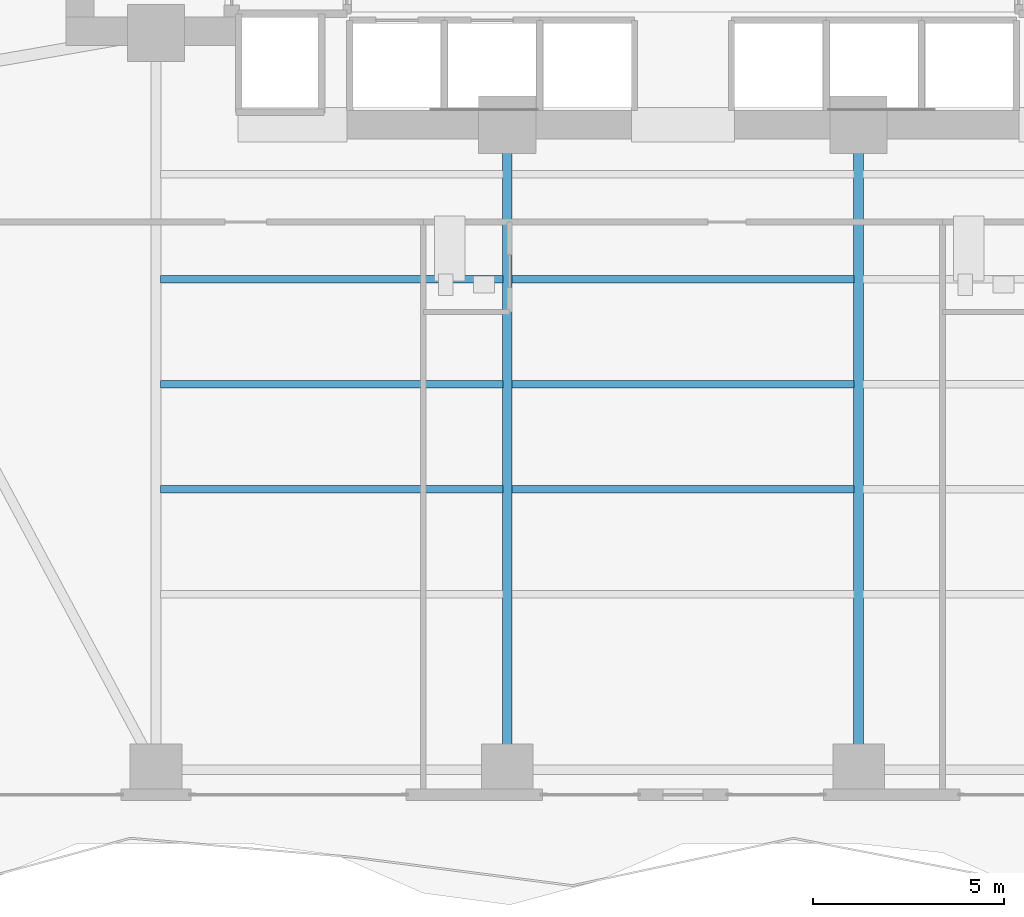
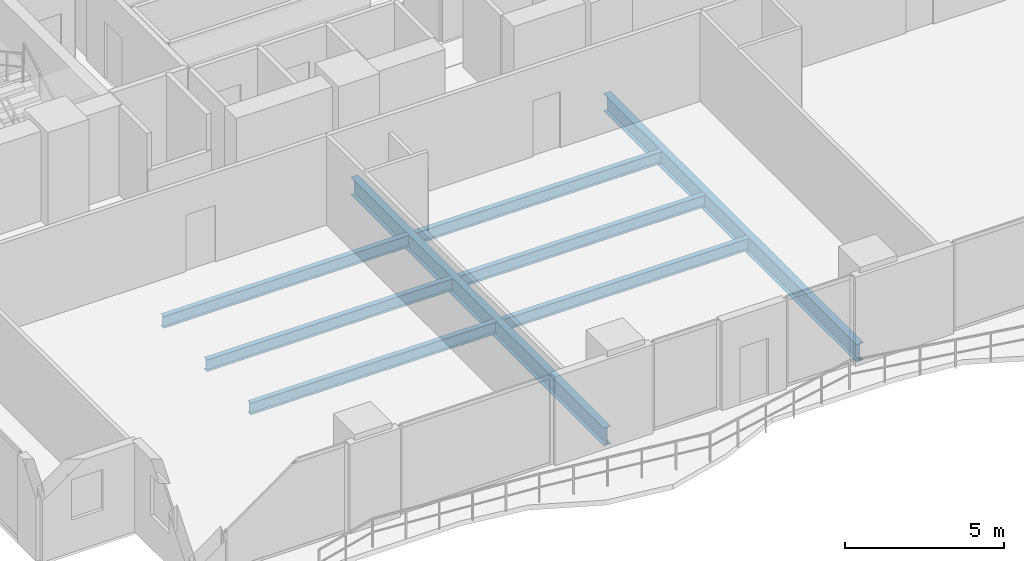
# One storey, part 6 of 29: 8 beams.
"""IFC4 building model written with IfcOpenShell, lengths in metres."""

import ifcopenshell
import ifcopenshell.guid

model = None  # the IFC model being written
_history = None  # IfcOwnerHistory: only IFC2X3 demands one
_inside = {}  # id of a spatial element -> (the spatial element, [elements in it])
_under = {}  # id of a project, library or spatial element -> (it, [spatial elements below it])
_declared = {}  # id of a project -> (the project, [libraries it declares])
_typed = {}  # id of a type object -> (the type object, [elements of that type])
_made_of = {}  # id of a material, layer set ... -> (it, [elements and type objects made of it])


def new_model(schema):
    """Start an empty IFC model of exactly this schema.

    Asked for "IFC4X3", IfcOpenShell would pick the latest addendum, in which some entities
    have other attributes; the version numbers below select the first issue.
    IFC2X3 requires an IfcOwnerHistory on every rooted entity: one is made here for all.
    """
    global model, _history
    if schema == "IFC4X3":
        model = ifcopenshell.file(schema_version=(4, 3, 0, 0))
    else:
        model = ifcopenshell.file(schema=schema)
    _inside.clear()
    _under.clear()
    _declared.clear()
    _typed.clear()
    _made_of.clear()
    _history = None
    if model.schema == "IFC2X3":
        org = make("IfcOrganization", Name="unknown")
        user = make(
            "IfcPersonAndOrganization",
            ThePerson=make("IfcPerson", FamilyName="unknown"),
            TheOrganization=org,
        )
        app = make(
            "IfcApplication",
            ApplicationDeveloper=org,
            Version="unknown",
            ApplicationFullName="unknown",
            ApplicationIdentifier="unknown",
        )
        _history = make(
            "IfcOwnerHistory",
            OwningUser=user,
            OwningApplication=app,
            ChangeAction="ADDED",
            CreationDate=0,
        )
    return model


def make(cls, **values):
    """One entity of the class cls with the attributes given. An attribute that is None is left unset."""
    return model.create_entity(
        cls, **{name: value for name, value in values.items() if value is not None}
    )


def rooted(cls, **values):
    """An entity with a GlobalId (a new one), such as an element, a storey or a relation."""
    return make(cls, GlobalId=ifcopenshell.guid.new(), OwnerHistory=_history, **values)


def si_unit(unit_type, name, prefix=None):
    """IfcSIUnit, for example si_unit("LENGTHUNIT", "METRE", prefix="MILLI")."""
    return make("IfcSIUnit", UnitType=unit_type, Prefix=prefix, Name=name)


def assignment(units):
    """IfcUnitAssignment: the units of a project."""
    return None if units is None else make("IfcUnitAssignment", Units=units)


def point(xyz):
    """IfcCartesianPoint."""
    return None if xyz is None else make("IfcCartesianPoint", Coordinates=xyz)


def direction(xyz):
    """IfcDirection."""
    return None if xyz is None else make("IfcDirection", DirectionRatios=xyz)


def frame(location, z_axis=None, x_axis=None):
    """IfcAxis2Placement3D, a coordinate frame: its origin and axes. An axis left out is left unset."""
    return make(
        "IfcAxis2Placement3D",
        Location=point(location),
        Axis=direction(z_axis),
        RefDirection=direction(x_axis),
    )


def frame_2d(location, x_axis=None):
    """IfcAxis2Placement2D, a coordinate frame in the plane: its origin and x axis."""
    return make(
        "IfcAxis2Placement2D", Location=point(location), RefDirection=direction(x_axis)
    )


def origin():
    """The frame at (0, 0, 0) with its axes left unset."""
    return frame((0.0, 0.0, 0.0))


def origin_2d():
    """The frame at (0, 0) in the plane with its x axis left unset."""
    return frame_2d((0.0, 0.0))


def place(relative_to, where):
    """IfcLocalPlacement: puts the frame where relative to a parent placement (None: the world)."""
    return make(
        "IfcLocalPlacement", PlacementRelTo=relative_to, RelativePlacement=where
    )


def context(
    kind, dimensions, precision=None, world=None, true_north=None, identifier=None
):
    """IfcGeometricRepresentationContext, for example the 3D "Model" context."""
    return make(
        "IfcGeometricRepresentationContext",
        ContextIdentifier=identifier,
        ContextType=kind,
        CoordinateSpaceDimension=dimensions,
        Precision=precision,
        WorldCoordinateSystem=world,
        TrueNorth=true_north,
    )


def subcontext(parent, identifier, kind, view, scale=None):
    """IfcGeometricRepresentationSubContext, for example "Body" below "Model"."""
    return make(
        "IfcGeometricRepresentationSubContext",
        ContextIdentifier=identifier,
        ContextType=kind,
        ParentContext=parent,
        TargetScale=scale,
        TargetView=view,
    )


def project(units=None, contexts=None):
    """IfcProject with its units and contexts."""
    return rooted(
        "IfcProject",
        Name="project",
        RepresentationContexts=contexts,
        UnitsInContext=assignment(units),
    )


def spatial(cls, under=None, at=None, **own):
    """A site, building, storey or space (cls), placed at a placement, below another one or the project."""
    s = rooted(cls, ObjectPlacement=at, **own)
    if under is not None:
        _under.setdefault(under.id(), (under, []))[1].append(s)
    return s


def profile(cls, at=None, kind="AREA", **sizes):
    """A parametric profile (cls). Its sizes go by their IFC names, for example OverallWidth=200.0."""
    return make(cls, ProfileType=kind, Position=at, **sizes)


def i_section(**sizes):
    """IfcIShapeProfileDef."""
    return profile("IfcIShapeProfileDef", **sizes)


def extrude(swept, where, along, depth):
    """IfcExtrudedAreaSolid: the profile swept, set in the frame where, extruded along a direction by depth."""
    return make(
        "IfcExtrudedAreaSolid",
        SweptArea=swept,
        Position=where,
        ExtrudedDirection=direction(along),
        Depth=depth,
    )


def shape(context_of_items, identifier, shape_type, items):
    """IfcShapeRepresentation: the items that make up one representation, for example the "Body"."""
    return make(
        "IfcShapeRepresentation",
        ContextOfItems=context_of_items,
        RepresentationIdentifier=identifier,
        RepresentationType=shape_type,
        Items=items,
    )


def material(Name=None, Category=None):
    """IfcMaterial."""
    return make("IfcMaterial", Name=Name, Category=Category)


def material_profile(
    of_material, cross_section, Name=None, Category=None, Priority=None
):
    """IfcMaterialProfile: a cross section and its material."""
    return make(
        "IfcMaterialProfile",
        Name=Name,
        Material=of_material,
        Profile=cross_section,
        Priority=Priority,
        Category=Category,
    )


def profile_set(profiles, Name=None, composite=None):
    """IfcMaterialProfileSet."""
    return make(
        "IfcMaterialProfileSet",
        Name=Name,
        MaterialProfiles=profiles,
        CompositeProfile=composite,
    )


def made_of(thing, what):
    """Note that an element or type object is made of a material, layer set ...; save() writes the relation."""
    if what is not None:
        _made_of.setdefault(what.id(), (what, []))[1].append(thing)
    return thing


def type_object(cls, material=None, **own):
    """A type object (cls), such as IfcWallType, which elements share."""
    return made_of(rooted(cls, **own), material)


def element(
    cls,
    number,
    at=None,
    inside=None,
    cuts=None,
    type_object=None,
    material=None,
    context=None,
    identifier="Body",
    shape_type=None,
    held_by="IfcProductDefinitionShape",
    body=None,
    shapes=None,
    **own,
):
    """One element of the class cls, such as IfcWall. Its Tag is "e" and its number.

    at: its placement. inside: the storey or other place that contains it. cuts: it is an
    opening in that element (IfcRelVoidsElement). A single representation is given by context,
    identifier, shape_type and body (its items); several are given by shapes. held_by: the class
    of the entity that holds the representations. save() writes the other relations.
    """
    e = rooted(cls, Tag="e%d" % number, ObjectPlacement=at, **own)
    if body is not None:
        shapes = [shape(context, identifier, shape_type, body)]
    if shapes is not None:
        e.Representation = make(held_by, Representations=shapes)
    if inside is not None:
        _inside.setdefault(inside.id(), (inside, []))[1].append(e)
    if cuts is not None:
        rooted(
            "IfcRelVoidsElement", RelatingBuildingElement=cuts, RelatedOpeningElement=e
        )
    if type_object is not None:
        _typed.setdefault(type_object.id(), (type_object, []))[1].append(e)
    return made_of(e, material)


def aggregate(whole, parts):
    """IfcRelAggregates: a whole, such as a stair, and the parts it consists of."""
    return rooted("IfcRelAggregates", RelatingObject=whole, RelatedObjects=parts)


def save(model, path):
    """Write the relations noted so far, then the file.

    IfcRelAggregates (storeys below a building ...), IfcRelContainedInSpatialStructure (elements
    in a storey), IfcRelDefinesByType, IfcRelAssociatesMaterial and IfcRelDeclares: one each for
    every whole, place, type object, material and project.
    """
    for whole, parts in _under.values():
        aggregate(whole, parts)
    for where, things in _inside.values():
        rooted(
            "IfcRelContainedInSpatialStructure",
            RelatedElements=things,
            RelatingStructure=where,
        )
    for kind, things in _typed.values():
        rooted("IfcRelDefinesByType", RelatedObjects=things, RelatingType=kind)
    for what, things in _made_of.values():
        rooted("IfcRelAssociatesMaterial", RelatedObjects=things, RelatingMaterial=what)
    for by, libraries in _declared.values():
        rooted("IfcRelDeclares", RelatingContext=by, RelatedDefinitions=libraries)
    model.write(path)


model = new_model("IFC4")

# Units and contexts
model_context = context("Model", 3, precision=1e-05, world=origin(), true_north=direction((0.0, 1.0)))
body_context = subcontext(model_context, "Body", "Model", "MODEL_VIEW")
ifc_project = project(units=[si_unit("LENGTHUNIT", "METRE"), si_unit("AREAUNIT", "SQUARE_METRE"), si_unit("VOLUMEUNIT", "CUBIC_METRE"), si_unit("PLANEANGLEUNIT", "RADIAN"), si_unit("MASSUNIT", "GRAM", prefix="KILO")], contexts=[model_context])

# Site, building, storey
site_placement = place(None, origin())
site = spatial("IfcSite", under=ifc_project, at=site_placement, CompositionType="ELEMENT")
building_placement = place(site_placement, origin())
building = spatial("IfcBuilding", under=site, at=building_placement, Name="Zuhayl Quay Hotel", CompositionType="ELEMENT")
storey_placement = place(building_placement, frame((0.0, 0.0, 106.60009765625)))
storey = spatial("IfcBuildingStorey", under=building, at=storey_placement, Name="L26", CompositionType="ELEMENT", Elevation=106.60009765625)

# Beams
ifc_material = material(Name="Steel ASTM A992 Grade 50", Category="steel")
ifc_material_profile_1 = material_profile(ifc_material, i_section(OverallWidth=0.25390625, OverallDepth=0.68310546875, WebThickness=0.012451171875, FlangeThickness=0.018798828125, at=origin_2d()), Name="W27X94")
ifc_profile_set_1 = profile_set([ifc_material_profile_1], Name="Steel ASTM A992 Grade 50")
beam_type_1 = type_object("IfcBeamType", Name="BM_B2_W27X94", PredefinedType="BEAM", material=ifc_profile_set_1)
for number, where, z_axis, x_axis, name in (
    (1, (-4.60009765625, -14.25, -0.5615234375), (0.0, 1.0, 0.0), (-1.0, 0.0, 0.0), "L26 Floor Beam FG_S_L26_2"),
    (2, (4.60009765625, -14.25, -0.5615234375), (0.0, 1.0, 0.0), (-1.0, 0.0, 0.0), "L26 Floor Beam FG_S_L26_3"),
):
    element("IfcBeam", number, at=place(storey_placement, frame(where, z_axis=z_axis, x_axis=x_axis)), inside=storey, type_object=beam_type_1, Name=name, PredefinedType="BEAM", context=body_context, shape_type="SweptSolid", body=[
        extrude(i_section(OverallWidth=0.25390625, OverallDepth=0.68310546875, WebThickness=0.012451171875, FlangeThickness=0.018798828125, at=origin_2d()), origin(), (0.0, 0.0, 1.0), 15.949951171875),
    ])
ifc_material_profile_2 = material_profile(ifc_material, i_section(OverallWidth=0.18994140625, OverallDepth=0.45703125, WebThickness=0.009033203125, FlangeThickness=0.014404296875, at=origin_2d()), Name="W18X50")
ifc_profile_set_2 = profile_set([ifc_material_profile_2], Name="Steel ASTM A992 Grade 50")
beam_type_2 = type_object("IfcBeamType", Name="BM_J2_W18X50", PredefinedType="JOIST", material=ifc_profile_set_2)
for number, where, z_axis, x_axis, name in (
    (3, (-13.680908203125, -7.39990234375, -0.448486328125), (1.0, 0.0, 0.0), (0.0, 1.0, 0.0), "L26 Floor Beam FJ_L26_6_1"),
    (4, (-4.48095703125, -7.39990234375, -0.448486328125), (1.0, 0.0, 0.0), (0.0, 1.0, 0.0), "L26 Floor Beam FJ_L26_6_2"),
    (5, (-13.680908203125, -4.64990234375, -0.448486328125), (1.0, 0.0, 0.0), (0.0, 1.0, 0.0), "L26 Floor Beam FJ_L26_7_1"),
    (6, (-4.48095703125, -4.64990234375, -0.448486328125), (1.0, 0.0, 0.0), (0.0, 1.0, 0.0), "L26 Floor Beam FJ_L26_7_2"),
    (7, (-13.680908203125, -1.89990234375, -0.448486328125), (1.0, 0.0, 0.0), (0.0, 1.0, 0.0), "L26 Floor Beam FJ_L26_8_1"),
    (8, (-4.48095703125, -1.89990234375, -0.448486328125), (1.0, 0.0, 0.0), (0.0, 1.0, 0.0), "L26 Floor Beam FJ_L26_8_2"),
):
    element("IfcBeam", number, at=place(storey_placement, frame(where, z_axis=z_axis, x_axis=x_axis)), inside=storey, type_object=beam_type_2, Name=name, PredefinedType="JOIST", context=body_context, shape_type="SweptSolid", body=[
        extrude(i_section(OverallWidth=0.18994140625, OverallDepth=0.45703125, WebThickness=0.009033203125, FlangeThickness=0.014404296875, at=origin_2d()), origin(), (0.0, 0.0, 1.0), 8.9619140625),
    ])

save(model, "model.ifc")
